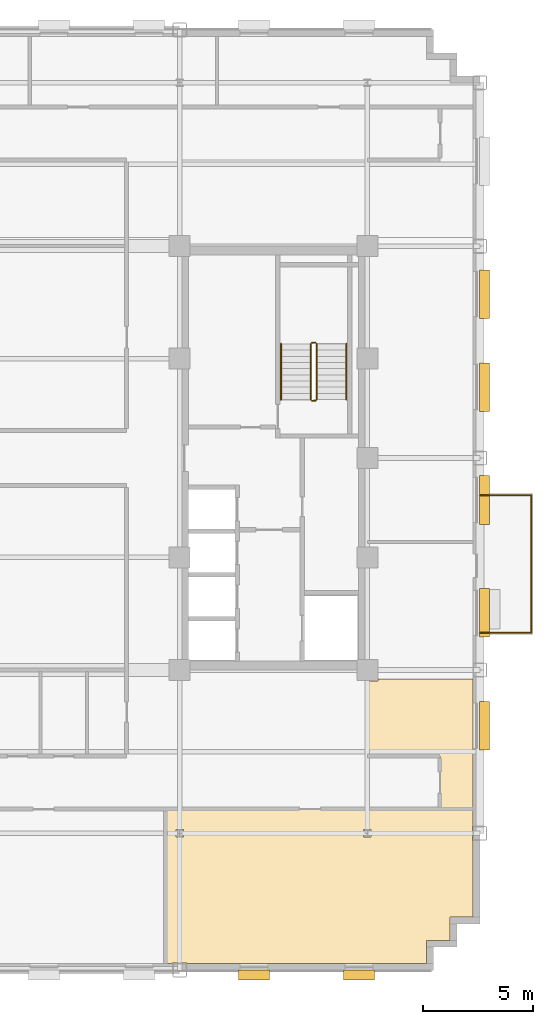
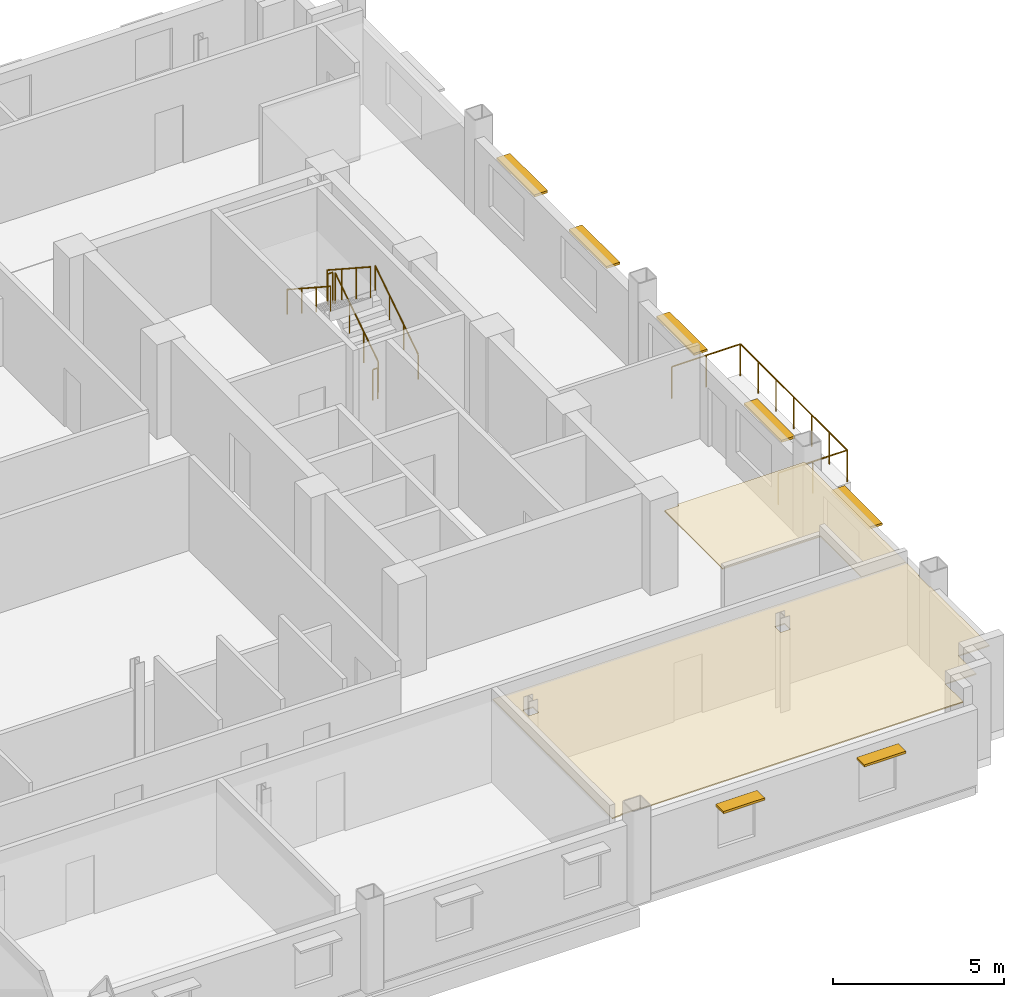
# One storey, part 13 of 14: 7 railings, 7 shading devices, 2 coverings.
"""IFC4 building model written with IfcOpenShell, lengths in metres."""

from ifc_helpers import new_model, si_unit, direction, frame, origin, origin_2d, place, context, subcontext, project, spatial, polyline, rectangle, circle, outline, extrude, source, transform, mapped, material, layer, layer_set, type_object, type_shapes, element, save


model = new_model("IFC4")

# Units and contexts
model_context = context("Model", 3, precision=1e-05, world=origin(), true_north=direction((0.0, 1.0)))
body_context = subcontext(model_context, "Body", "Model", "MODEL_VIEW")
ifc_project = project(units=[si_unit("LENGTHUNIT", "METRE"), si_unit("AREAUNIT", "SQUARE_METRE"), si_unit("VOLUMEUNIT", "CUBIC_METRE"), si_unit("PLANEANGLEUNIT", "RADIAN"), si_unit("MASSUNIT", "GRAM", prefix="KILO")], contexts=[model_context])

# Site, building, storey
site_placement = place(None, origin())
site = spatial("IfcSite", under=ifc_project, at=site_placement, CompositionType="ELEMENT")
building_placement = place(site_placement, origin())
building = spatial("IfcBuilding", under=site, at=building_placement, Name="Nuvemarco Arch Tower", CompositionType="ELEMENT")
storey_placement = place(building_placement, frame((0.0, 0.0, 178.60009765625)))
storey = spatial("IfcBuildingStorey", under=building, at=storey_placement, Name="L47", CompositionType="ELEMENT", Elevation=178.60009765625)

# Coverings
ifc_material_1 = material(Name="Mineral acoustic ceiling tile")
ifc_layer = layer(ifc_material_1, 0.0400390625, Name="COV-ACOUSTIC-CLG")
ifc_layer_set = layer_set([ifc_layer], Name="Mineral acoustic ceiling tile")
covering_type = type_object("IfcCoveringType", Name="COV-ACOUSTIC-CLG", PredefinedType="CEILING", material=ifc_layer_set)
covering_1_placement = place(storey_placement, frame((0.0, 0.0, 2.849853515625)))
element("IfcCovering", 1, at=covering_1_placement, inside=storey, type_object=covering_type, Name="L47 suspended acoustic ceiling 3", PredefinedType="CEILING", context=body_context, shape_type="SweptSolid", body=[
    extrude(outline(polyline([(20.18994140625, -22.889892578125), (9.340087890625, -22.889892578125), (9.340087890625, -22.860107421875), (8.659912109375, -22.860107421875), (8.659912109375, -22.889892578125), (8.35009765625, -22.889892578125), (8.35009765625, -15.89990234375), (9.0, -15.89990234375), (20.800048828125, -15.89990234375), (22.2900390625, -15.89990234375), (22.2900390625, -16.659912109375), (22.260009765625, -16.659912109375), (22.260009765625, -17.340087890625), (22.2900390625, -17.340087890625), (22.2900390625, -20.7900390625), (21.239990234375, -20.7900390625), (21.239990234375, -21.840087890625), (20.18994140625, -21.840087890625), (20.18994140625, -22.889892578125)]), holes=[polyline([(9.169921875, -17.169921875), (9.169921875, -16.830078125), (8.830078125, -16.830078125), (8.830078125, -17.169921875), (9.169921875, -17.169921875)]), polyline([(17.669921875, -17.169921875), (17.669921875, -16.830078125), (17.330078125, -16.830078125), (17.330078125, -17.169921875), (17.669921875, -17.169921875)])]), origin(), (0.0, 0.0, 1.0), 0.0400390625),
])
covering_2_placement = place(storey_placement, frame((0.0, 0.0, 2.849853515625)))
element("IfcCovering", 2, at=covering_2_placement, inside=storey, type_object=covering_type, Name="L47 suspended acoustic ceiling 9", PredefinedType="CEILING", context=body_context, shape_type="SweptSolid", body=[
    extrude(outline(polyline([(17.5, -10.090087890625), (17.989990234375, -10.090087890625), (17.989990234375, -10.0), (22.2900390625, -10.0), (22.2900390625, -15.89990234375), (20.800048828125, -15.89990234375), (20.800048828125, -13.5), (17.5, -13.5), (17.5, -10.090087890625)])), origin(), (0.0, 0.0, 1.0), 0.0400390625),
])

# Railings
ifc_material_2 = material(Name="Brushed stainless steel handrail", Category="steel")
railing_type_1 = type_object("IfcRailingType", Name="RL-HANDRAIL-900", PredefinedType="HANDRAIL", material=ifc_material_2)
railing_1_placement = place(storey_placement, frame((16.550048828125, 2.64990234375, 0.182373046875)))
element("IfcRailing", 3, at=railing_1_placement, inside=storey, type_object=railing_type_1, Name="L47 ST-2 stair handrail 1", PredefinedType="HANDRAIL", context=body_context, shape_type="SweptSolid", body=[
    extrude(circle(Radius=0.02392578125, at=origin_2d()), frame((0.0, 0.0, 0.8759765625), z_axis=(0.0, 0.837749427056, 0.546054848405), x_axis=(-1.0, 0.0, 0.0)), (0.0, 0.0, 1.0), 3.008056640625),
    extrude(circle(Radius=0.02099609375, at=origin_2d()), origin(), (0.0, 0.0, 1.0), 0.851806640625),
    extrude(circle(Radius=0.02099609375, at=origin_2d()), frame((0.0, 0.840087890625, 0.547607421875)), (0.0, 0.0, 1.0), 0.851806640625),
    extrude(circle(Radius=0.02099609375, at=origin_2d()), frame((0.0, 1.679931640625, 1.094970703125)), (0.0, 0.0, 1.0), 0.851806640625),
    extrude(circle(Radius=0.02099609375, at=origin_2d()), frame((0.0, 2.52001953125, 1.642578125)), (0.0, 0.0, 1.0), 0.851806640625),
])
railing_2_placement = place(storey_placement, frame((13.590087890625, 5.169921875, 2.00732421875)))
element("IfcRailing", 4, at=railing_2_placement, inside=storey, type_object=railing_type_1, Name="L47 ST-2 stair handrail 2", PredefinedType="HANDRAIL", context=body_context, shape_type="SweptSolid", body=[
    extrude(circle(Radius=0.02392578125, at=origin_2d()), frame((0.0, 0.0, 0.8759765625), z_axis=(0.0, -0.837749427056, 0.546054848405), x_axis=(1.0, 0.0, 0.0)), (0.0, 0.0, 1.0), 3.008056640625),
    extrude(circle(Radius=0.02099609375, at=origin_2d()), origin(), (0.0, 0.0, 1.0), 0.851806640625),
    extrude(circle(Radius=0.02099609375, at=origin_2d()), frame((0.0, -0.840087890625, 0.547607421875)), (0.0, 0.0, 1.0), 0.851806640625),
    extrude(circle(Radius=0.02099609375, at=origin_2d()), frame((0.0, -1.679931640625, 1.094970703125)), (0.0, 0.0, 1.0), 0.851806640625),
    extrude(circle(Radius=0.02099609375, at=origin_2d()), frame((0.0, -2.52001953125, 1.642578125)), (0.0, 0.0, 1.0), 0.851806640625),
])
ifc_material_3 = material(Name="Painted balustrade steel S355", Category="steel")
railing_type_2 = type_object("IfcRailingType", Name="RL-STAIR-GUARD", PredefinedType="GUARDRAIL", material=ifc_material_3)
railing_3_placement = place(storey_placement, frame((15.199951171875, 2.64990234375, 0.182373046875)))
element("IfcRailing", 5, at=railing_3_placement, inside=storey, type_object=railing_type_2, Name="L47 ST-2 stair guard 1", PredefinedType="GUARDRAIL", context=body_context, shape_type="SweptSolid", body=[
    extrude(circle(Radius=0.02392578125, at=origin_2d()), frame((0.0, 0.0, 1.09619140625), z_axis=(0.0, 0.837749427056, 0.546054848405), x_axis=(-1.0, 0.0, 0.0)), (0.0, 0.0, 1.0), 3.008056640625),
    extrude(circle(Radius=0.02099609375, at=origin_2d()), origin(), (0.0, 0.0, 1.0), 1.072021484375),
    extrude(circle(Radius=0.02099609375, at=origin_2d()), frame((0.0, 0.840087890625, 0.547607421875)), (0.0, 0.0, 1.0), 1.072021484375),
    extrude(circle(Radius=0.02099609375, at=origin_2d()), frame((0.0, 1.679931640625, 1.094970703125)), (0.0, 0.0, 1.0), 1.072021484375),
    extrude(circle(Radius=0.02099609375, at=origin_2d()), frame((0.0, 2.52001953125, 1.642578125)), (0.0, 0.0, 1.0), 1.072021484375),
])
railing_4_placement = place(storey_placement, frame((15.14990234375, 5.219970703125, 1.824951171875)))
element("IfcRailing", 6, at=railing_4_placement, inside=storey, type_object=railing_type_2, Name="L47 ST-2 stair guard 2", PredefinedType="GUARDRAIL", context=body_context, shape_type="SweptSolid", body=[
    extrude(circle(Radius=0.02392578125, at=origin_2d()), frame((0.0, 0.0, 1.09619140625), z_axis=(-1.0, 0.0, 0.0), x_axis=(0.0, -1.0, 0.0)), (0.0, 0.0, 1.0), 0.159912109375),
    extrude(circle(Radius=0.02099609375, at=origin_2d()), origin(), (0.0, 0.0, 1.0), 1.072021484375),
    extrude(circle(Radius=0.02099609375, at=origin_2d()), frame((-0.159912109375, 0.0, 0.0)), (0.0, 0.0, 1.0), 1.072021484375),
])
railing_5_placement = place(storey_placement, frame((14.93994140625, 5.169921875, 2.00732421875)))
element("IfcRailing", 7, at=railing_5_placement, inside=storey, type_object=railing_type_2, Name="L47 ST-2 stair guard 3", PredefinedType="GUARDRAIL", context=body_context, shape_type="SweptSolid", body=[
    extrude(circle(Radius=0.02392578125, at=origin_2d()), frame((0.0, 0.0, 1.09619140625), z_axis=(0.0, -0.837749427056, 0.546054848405), x_axis=(1.0, 0.0, 0.0)), (0.0, 0.0, 1.0), 3.008056640625),
    extrude(circle(Radius=0.02099609375, at=origin_2d()), origin(), (0.0, 0.0, 1.0), 1.072021484375),
    extrude(circle(Radius=0.02099609375, at=origin_2d()), frame((0.0, -0.840087890625, 0.547607421875)), (0.0, 0.0, 1.0), 1.072021484375),
    extrude(circle(Radius=0.02099609375, at=origin_2d()), frame((0.0, -1.679931640625, 1.094970703125)), (0.0, 0.0, 1.0), 1.072021484375),
    extrude(circle(Radius=0.02099609375, at=origin_2d()), frame((0.0, -2.52001953125, 1.642578125)), (0.0, 0.0, 1.0), 1.072021484375),
])
railing_6_placement = place(storey_placement, frame((15.14990234375, 2.60009765625, 0.0)))
element("IfcRailing", 8, at=railing_6_placement, inside=storey, type_object=railing_type_2, Name="L47 ST-2 stair guard 4", PredefinedType="GUARDRAIL", context=body_context, shape_type="SweptSolid", body=[
    extrude(circle(Radius=0.02392578125, at=origin_2d()), frame((0.0, 0.0, 1.09619140625), z_axis=(-1.0, 0.0, 0.0), x_axis=(0.0, -1.0, 0.0)), (0.0, 0.0, 1.0), 0.159912109375),
    extrude(circle(Radius=0.02099609375, at=origin_2d()), origin(), (0.0, 0.0, 1.0), 1.072021484375),
    extrude(circle(Radius=0.02099609375, at=origin_2d()), frame((-0.159912109375, 0.0, 0.0)), (0.0, 0.0, 1.0), 1.072021484375),
])
ifc_material_4 = material(Name="Dark anodised balustrade steel S355", Category="steel")
railing_type_3 = type_object("IfcRailingType", Name="RL-TERR-GUARD", PredefinedType="BALUSTRADE", material=ifc_material_4)
railing_7_placement = place(storey_placement, frame((22.60009765625, -7.919921875, 0.0)))
element("IfcRailing", 9, at=railing_7_placement, inside=storey, type_object=railing_type_3, Name="L47 spiral terrace perimeter balustrade guard", PredefinedType="BALUSTRADE", context=body_context, shape_type="SweptSolid", body=[
    extrude(circle(Radius=0.02392578125, at=origin_2d()), frame((0.0, 0.0, 1.1259765625), z_axis=(1.0, 0.0, 0.0), x_axis=(0.0, 1.0, 0.0)), (0.0, 0.0, 1.0), 2.31982421875),
    extrude(circle(Radius=0.02392578125, at=origin_2d()), frame((2.31982421875, 0.0, 1.1259765625), z_axis=(0.0, 1.0, 0.0), x_axis=(-1.0, 0.0, 0.0)), (0.0, 0.0, 1.0), 6.239990234375),
    extrude(circle(Radius=0.02392578125, at=origin_2d()), frame((2.31982421875, 6.239990234375, 1.1259765625), z_axis=(-1.0, 0.0, 0.0), x_axis=(0.0, -1.0, 0.0)), (0.0, 0.0, 1.0), 2.31982421875),
    extrude(circle(Radius=0.02099609375, at=origin_2d()), origin(), (0.0, 0.0, 1.0), 1.101806640625),
    extrude(circle(Radius=0.02099609375, at=origin_2d()), frame((1.159912109375, 0.0, 0.0)), (0.0, 0.0, 1.0), 1.101806640625),
    extrude(circle(Radius=0.02099609375, at=origin_2d()), frame((2.31982421875, 0.0, 0.0)), (0.0, 0.0, 1.0), 1.101806640625),
    extrude(circle(Radius=0.02099609375, at=origin_2d()), frame((2.31982421875, 1.0400390625, 0.0)), (0.0, 0.0, 1.0), 1.101806640625),
    extrude(circle(Radius=0.02099609375, at=origin_2d()), frame((2.31982421875, 2.080078125, 0.0)), (0.0, 0.0, 1.0), 1.101806640625),
    extrude(circle(Radius=0.02099609375, at=origin_2d()), frame((2.31982421875, 3.1201171875, 0.0)), (0.0, 0.0, 1.0), 1.101806640625),
    extrude(circle(Radius=0.02099609375, at=origin_2d()), frame((2.31982421875, 4.159912109375, 0.0)), (0.0, 0.0, 1.0), 1.101806640625),
    extrude(circle(Radius=0.02099609375, at=origin_2d()), frame((2.31982421875, 5.199951171875, 0.0)), (0.0, 0.0, 1.0), 1.101806640625),
    extrude(circle(Radius=0.02099609375, at=origin_2d()), frame((2.31982421875, 6.239990234375, 0.0)), (0.0, 0.0, 1.0), 1.101806640625),
    extrude(circle(Radius=0.02099609375, at=origin_2d()), frame((1.159912109375, 6.239990234375, 0.0)), (0.0, 0.0, 1.0), 1.101806640625),
    extrude(circle(Radius=0.02099609375, at=origin_2d()), frame((0.0, 6.239990234375, 0.0)), (0.0, 0.0, 1.0), 1.101806640625),
])

# Shading devices
ifc_material_5 = material(Name="Anodised aluminium 6063-T6", Category="aluminium")
shading_device_type_1 = type_object("IfcShadingDeviceType", Name="SHD-BRISE-SOLEIL", PredefinedType="USERDEFINED", material=ifc_material_5)
shared_shape_1 = source(origin(), body_context, "Body", "SweptSolid", [
    extrude(rectangle(XDim=2.199951171875, YDim=0.449951171875, at=origin_2d()), origin(), (0.0, 0.0, 1.0), 0.080078125),
])
type_shapes(shading_device_type_1, [shared_shape_1])
for number, where, z_axis, x_axis, name in (
    (10, (22.81494140625, -12.125, 2.324951171875), (0.0, 0.0, 1.0), (0.0, 1.0, 0.0), "L47 horizontal brise-soleil sunshade"),
    (11, (22.81494140625, -7.0126953125, 2.324951171875), (0.0, 0.0, 1.0), (0.0, 1.0, 0.0), "L47 horizontal brise-soleil sunshade"),
    (12, (22.81494140625, -1.89990234375, 2.324951171875), (0.0, 0.0, 1.0), (0.0, 1.0, 0.0), "L47 horizontal brise-soleil sunshade"),
    (13, (22.81494140625, 3.212646484375, 2.324951171875), (0.0, 0.0, 1.0), (0.0, 1.0, 0.0), "L47 horizontal brise-soleil sunshade"),
    (14, (22.81494140625, 7.425048828125, 2.324951171875), (0.0, 0.0, 1.0), (0.0, 1.0, 0.0), "L47 horizontal brise-soleil sunshade"),
):
    element("IfcShadingDevice", number, at=place(storey_placement, frame(where, z_axis=z_axis, x_axis=x_axis)), inside=storey, type_object=shading_device_type_1, Name=name, ObjectType="SUNSHADE", PredefinedType="USERDEFINED", context=body_context, shape_type="MappedRepresentation", body=[
        mapped(shared_shape_1, transform((0.0, 0.0, 0.0), scale=1.0)),
    ])
shading_device_type_2 = type_object("IfcShadingDeviceType", Name="SHD-BRISE-NARROW", PredefinedType="USERDEFINED", material=ifc_material_5)
shared_shape_2 = source(origin(), body_context, "Body", "SweptSolid", [
    extrude(rectangle(XDim=1.39990234375, YDim=0.449951171875, at=origin_2d()), origin(), (0.0, 0.0, 1.0), 0.080078125),
])
type_shapes(shading_device_type_2, [shared_shape_2])
for number, where, z_axis, x_axis, name in (
    (15, (12.36669921875, -23.4150390625, 2.324951171875), (0.0, 0.0, 1.0), (1.0, 0.0, 0.0), "L47 horizontal brise-soleil sunshade"),
    (16, (17.122314453125, -23.4150390625, 2.324951171875), (0.0, 0.0, 1.0), (1.0, 0.0, 0.0), "L47 horizontal brise-soleil sunshade"),
):
    element("IfcShadingDevice", number, at=place(storey_placement, frame(where, z_axis=z_axis, x_axis=x_axis)), inside=storey, type_object=shading_device_type_2, Name=name, ObjectType="SUNSHADE", PredefinedType="USERDEFINED", context=body_context, shape_type="MappedRepresentation", body=[
        mapped(shared_shape_2, transform((0.0, 0.0, 0.0), scale=1.0)),
    ])

save(model, "model.ifc")
